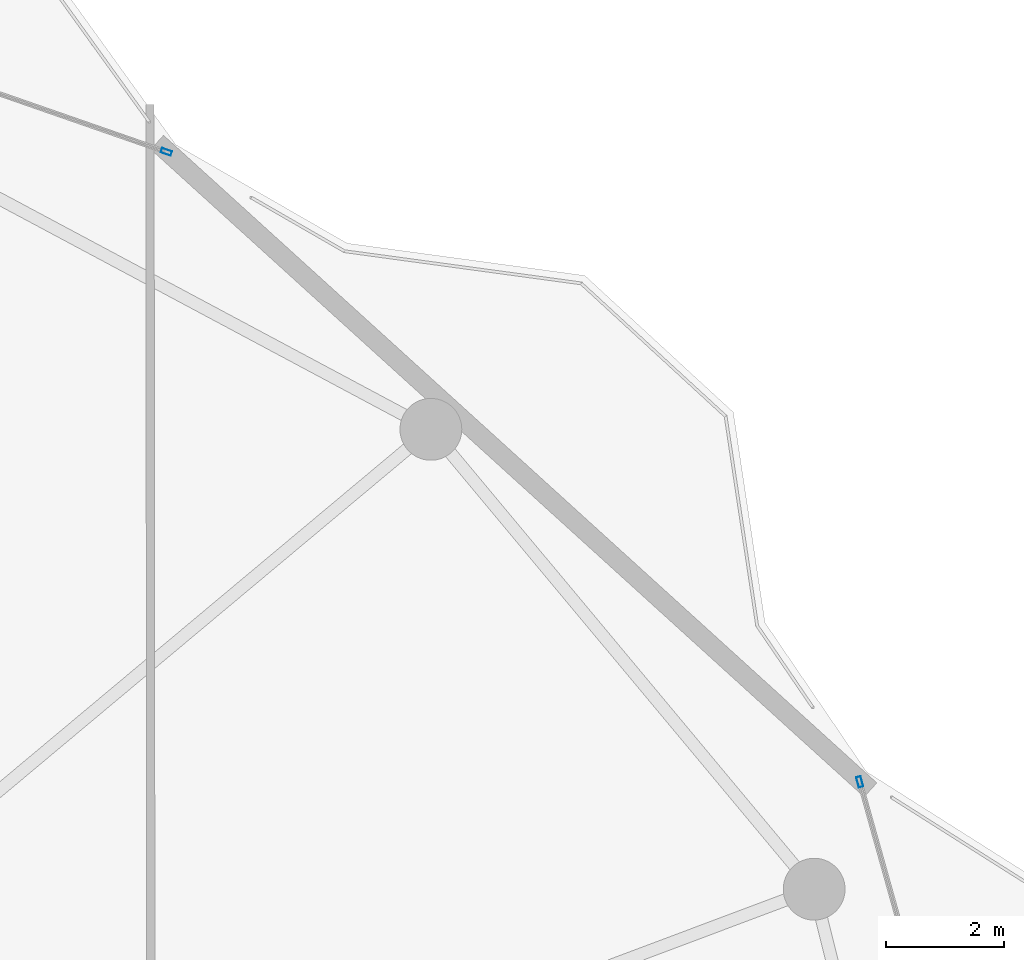
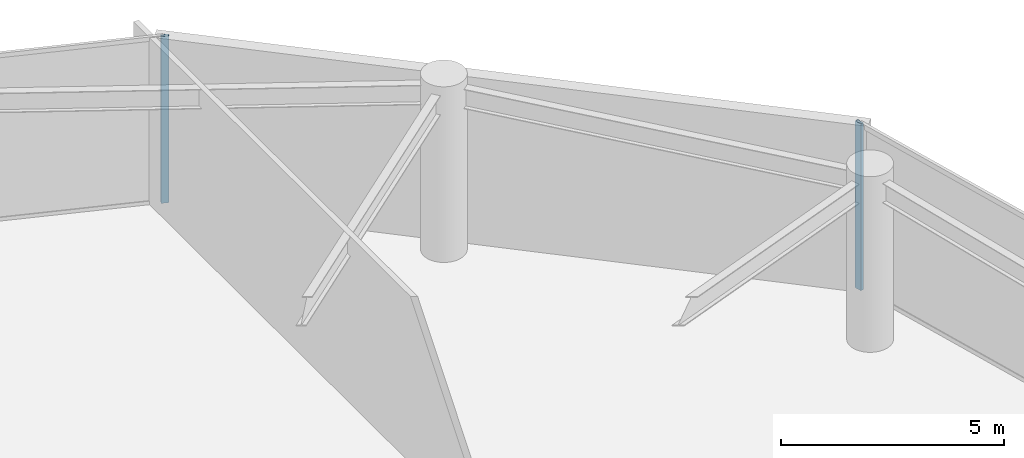
# One storey, part 21 of 28: 2 members, 2 elements without a shape of their own.
"""IFC4 building model written with IfcOpenShell, lengths in metres."""

from ifc_helpers import new_model, si_unit, direction, frame, origin, origin_2d, place, context, subcontext, project, spatial, hollow_rectangle, extrude, material, layer, layer_set, material_profile, profile_set, type_object, element, aggregate, save


model = new_model("IFC4")

# Units and contexts
model_context = context("Model", 3, precision=1e-05, world=origin(), true_north=direction((0.0, 1.0)))
body_context = subcontext(model_context, "Body", "Model", "MODEL_VIEW")
ifc_project = project(units=[si_unit("LENGTHUNIT", "METRE"), si_unit("AREAUNIT", "SQUARE_METRE"), si_unit("VOLUMEUNIT", "CUBIC_METRE"), si_unit("PLANEANGLEUNIT", "RADIAN"), si_unit("MASSUNIT", "GRAM", prefix="KILO")], contexts=[model_context])

# Site, building, storey
site_placement = place(None, origin())
site = spatial("IfcSite", under=ifc_project, at=site_placement, CompositionType="ELEMENT")
building_placement = place(site_placement, origin())
building = spatial("IfcBuilding", under=site, at=building_placement, Name="Kazevale Care Tower and Concert Hall", CompositionType="ELEMENT")
storey_placement = place(building_placement, frame((0.0, 0.0, 190.800048828125)))
storey = spatial("IfcBuildingStorey", under=building, at=storey_placement, Name="L50", CompositionType="ELEMENT", Elevation=190.800048828125)

# Curtain wall, member
ifc_material_1 = material(Name="Aluminium 6063-T6 and Low-E Glass", Category="aluminium")
ifc_layer_1 = layer(ifc_material_1, 0.179931640625)
ifc_layer_set_1 = layer_set([ifc_layer_1], Name="Aluminium 6063-T6 and Low-E Glass")
curtain_wall_type_1 = type_object("IfcCurtainWallType", Name="Convex Checkerboard Finned Curtain Wall CW-2", PredefinedType="NOTDEFINED", material=ifc_layer_set_1)
curtain_wall_1_placement = place(storey_placement, origin())
curtain_wall_1 = element("IfcCurtainWall", 1, at=curtain_wall_1_placement, inside=storey, type_object=curtain_wall_type_1, Name="cw:L50:f16", PredefinedType="NOTDEFINED")
ifc_material_2 = material(Name="Aluminium 6063-T6", Category="aluminium")
ifc_material_profile_1 = material_profile(ifc_material_2, hollow_rectangle(XDim=0.080078125, YDim=0.179931640625, WallThickness=0.0048828125, at=origin_2d()), Name="ALU80x180x5")
ifc_profile_set_1 = profile_set([ifc_material_profile_1], Name="Aluminium 6063-T6")
member_type_1 = type_object("IfcMemberType", Name="CW-2 Mullion ALU80x180x5", PredefinedType="MULLION", material=ifc_profile_set_1)
member_1_placement = place(storey_placement, frame((61.75732421875, 59.72216796875, 0.0), z_axis=(0.0, 0.0, 1.0), x_axis=(0.328583704497, 0.94447485363, 0.0)))
member_1 = element("IfcMember", 2, at=member_1_placement, type_object=member_type_1, Name="CW-2 mullion 2", PredefinedType="MULLION", context=body_context, shape_type="SweptSolid", body=[
    extrude(hollow_rectangle(XDim=0.080078125, YDim=0.179931640625, WallThickness=0.0048828125, at=origin_2d()), origin(), (0.0, 0.0, 1.0), 4.56005859375),
])
aggregate(curtain_wall_1, [member_1])

ifc_layer_2 = layer(ifc_material_1, 0.179931640625)
ifc_layer_set_2 = layer_set([ifc_layer_2], Name="Aluminium 6063-T6 and Low-E Glass")
curtain_wall_type_2 = type_object("IfcCurtainWallType", Name="Waist & Upper Residential Curtain Wall CW-4", PredefinedType="NOTDEFINED", material=ifc_layer_set_2)
curtain_wall_2_placement = place(storey_placement, origin())
curtain_wall_2 = element("IfcCurtainWall", 3, at=curtain_wall_2_placement, inside=storey, type_object=curtain_wall_type_2, Name="cw:L50:f18", PredefinedType="NOTDEFINED")
ifc_material_profile_2 = material_profile(ifc_material_2, hollow_rectangle(XDim=0.080078125, YDim=0.179931640625, WallThickness=0.0048828125, at=origin_2d()), Name="ALU80x180x5")
ifc_profile_set_2 = profile_set([ifc_material_profile_2], Name="Aluminium 6063-T6")
member_type_2 = type_object("IfcMemberType", Name="CW-4 Mullion ALU80x180x5", PredefinedType="MULLION", material=ifc_profile_set_2)
member_2_placement = place(storey_placement, frame((73.53369140625, 49.0234375, 0.0), z_axis=(0.0, 0.0, 1.0), x_axis=(0.962972156211, 0.269600864915, 0.0)))
member_2 = element("IfcMember", 4, at=member_2_placement, type_object=member_type_2, Name="CW-4 mullion 1", PredefinedType="MULLION", context=body_context, shape_type="SweptSolid", body=[
    extrude(hollow_rectangle(XDim=0.080078125, YDim=0.179931640625, WallThickness=0.0048828125, at=origin_2d()), origin(), (0.0, 0.0, 1.0), 4.56005859375),
])
aggregate(curtain_wall_2, [member_2])

save(model, "model.ifc")
